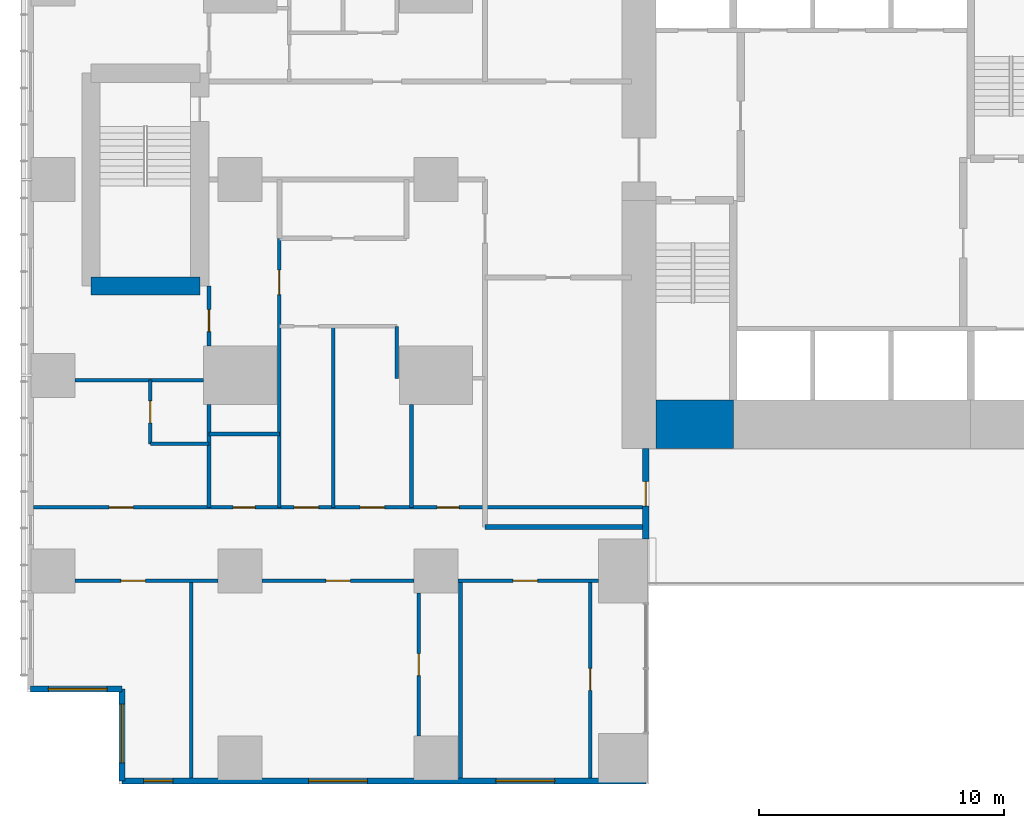
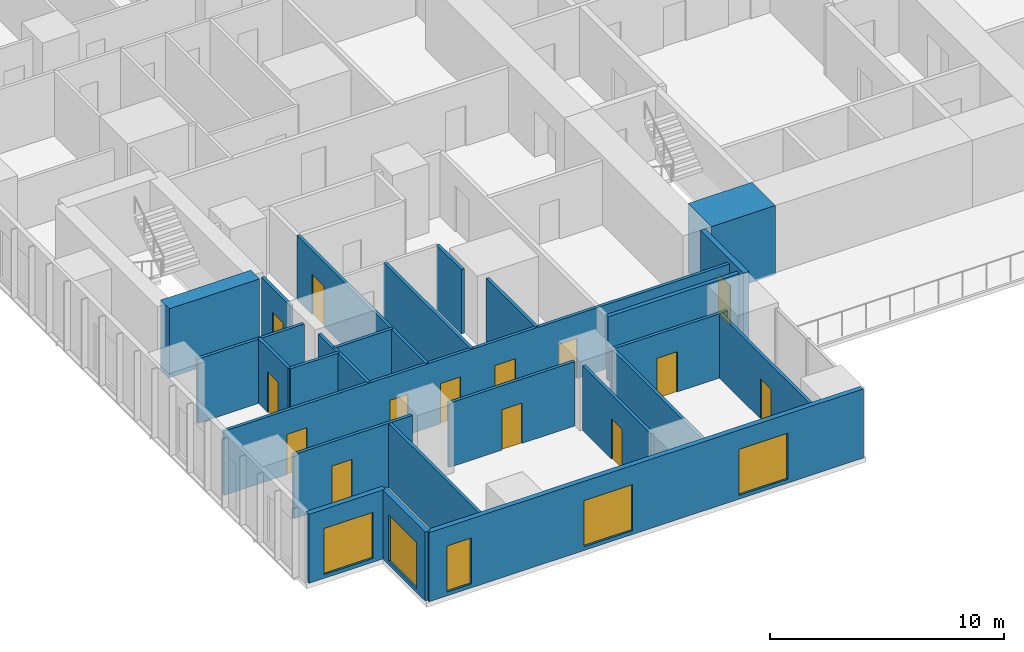
# One storey, part 12 of 20: 25 walls, 14 doors, 5 windows, 19 openings.
"""IFC4 building model written with IfcOpenShell, lengths in metres."""

from ifc_helpers import new_model, si_unit, direction, frame, frame_2d, origin, place, context, subcontext, project, spatial, rectangle, extrude, material, layer, layer_set, type_object, element, fill, save


model = new_model("IFC4")

# Units and contexts
model_context = context("Model", 3, precision=1e-05, world=origin(), true_north=direction((0.0, 1.0)))
body_context = subcontext(model_context, "Body", "Model", "MODEL_VIEW")
ifc_project = project(units=[si_unit("LENGTHUNIT", "METRE"), si_unit("AREAUNIT", "SQUARE_METRE"), si_unit("VOLUMEUNIT", "CUBIC_METRE"), si_unit("PLANEANGLEUNIT", "RADIAN"), si_unit("MASSUNIT", "GRAM", prefix="KILO")], contexts=[model_context])

# Site, building, storey
site_placement = place(None, origin())
site = spatial("IfcSite", under=ifc_project, at=site_placement, CompositionType="ELEMENT")
building_placement = place(site_placement, origin())
building = spatial("IfcBuilding", under=site, at=building_placement, Name="Cleftline Residences", CompositionType="ELEMENT")
storey_placement = place(building_placement, frame((0.0, 0.0, 182.199951171875)))
storey = spatial("IfcBuildingStorey", under=building, at=storey_placement, Name="L47", CompositionType="ELEMENT", Elevation=182.199951171875)

# Wall
ifc_material_1 = material(Name="Concrete B70", Category="concrete")
ifc_layer_1 = layer(ifc_material_1, 2.0)
ifc_layer_set_1 = layer_set([ifc_layer_1], Name="CORE WALL 2000")
wall_type_1 = type_object("IfcWallType", Name="CORE WALL 2000", PredefinedType="SHEAR", material=ifc_layer_set_1)
wall_1_placement = place(storey_placement, frame((25.0, 14.0, 0.0), z_axis=(0.0, 0.0, 1.0), x_axis=(1.0, 0.0, 0.0)))
element("IfcWall", 1, at=wall_1_placement, inside=storey, type_object=wall_type_1, Name="Core wall S1", PredefinedType="SHEAR", context=body_context, shape_type="SweptSolid", body=[
    extrude(rectangle(XDim=3.14990234375, YDim=2.0, at=frame_2d((1.574951171875, 0.0))), origin(), (0.0, 0.0, 1.0), 3.60009765625),
])

# Wall, opening, door
ifc_material_2 = material(Name="Rendered reinforced concrete blockwork", Category="masonry")
ifc_layer_2 = layer(ifc_material_2, 0.25)
ifc_layer_set_2 = layer_set([ifc_layer_2], Name="EXTERNAL WALL 250")
wall_type_2 = type_object("IfcWallType", Name="EXTERNAL WALL 250", PredefinedType="SOLIDWALL", material=ifc_layer_set_2)
wall_2_placement = place(storey_placement, frame((24.574951171875, 9.300048828125, 0.0), z_axis=(0.0, 0.0, 1.0), x_axis=(0.0, 1.0, 0.0)))
wall_2 = element("IfcWall", 2, at=wall_2_placement, inside=storey, type_object=wall_type_2, Name="External wall", PredefinedType="SOLIDWALL", context=body_context, shape_type="SweptSolid", body=[
    extrude(rectangle(XDim=3.699951171875, YDim=0.25, at=frame_2d((1.85009765625, 0.0))), origin(), (0.0, 0.0, 1.0), 3.60009765625),
])
opening_1_placement = place(wall_2_placement, frame((1.35009765625, 0.0, 0.0)))
opening_1 = element("IfcOpeningElement", 3, at=opening_1_placement, cuts=wall_2, Name="Opening DM1", PredefinedType="OPENING", context=body_context, shape_type="SweptSolid", body=[
    extrude(rectangle(XDim=1.0, YDim=2.10009765625, at=frame_2d((0.5, 1.050048828125))), frame((0.0, 0.135009765625, 0.0), z_axis=(0.0, -1.0, 0.0), x_axis=(1.0, 0.0, 0.0)), (0.0, 0.0, 1.0), 0.27001953125),
])
ifc_material_3 = material(Name="Galvanised steel, weathersealed", Category="steel")
door_type_1 = type_object("IfcDoorType", Name="MAINTENANCE DOOR 1000X2100", OperationType="SINGLE_SWING_LEFT", PredefinedType="DOOR", material=ifc_material_3)
door_1_placement = place(opening_1_placement, origin())
door_1 = element("IfcDoor", 4, at=door_1_placement, inside=storey, type_object=door_type_1, Name="Roof maintenance door", OperationType="SINGLE_SWING_LEFT", OverallHeight=2.10009765625, OverallWidth=1.0, PredefinedType="DOOR", context=body_context, shape_type="SweptSolid", body=[
    extrude(rectangle(XDim=1.0, YDim=2.10009765625, at=frame_2d((0.5, 1.050048828125))), frame((0.0, 0.02490234375, 0.0), z_axis=(0.0, -1.0, 0.0), x_axis=(1.0, 0.0, 0.0)), (0.0, 0.0, 1.0), 0.050048828125),
])
fill(opening_1, door_1)

# Wall, opening, window
wall_3_placement = place(storey_placement, frame((-0.574951171875, 3.175048828125, 0.0), z_axis=(0.0, 0.0, 1.0), x_axis=(1.0, 0.0, 0.0)))
wall_3 = element("IfcWall", 5, at=wall_3_placement, inside=storey, type_object=wall_type_2, Name="External wall", PredefinedType="SOLIDWALL", context=body_context, shape_type="SweptSolid", body=[
    extrude(rectangle(XDim=3.75, YDim=0.25, at=frame_2d((1.875, 0.0))), origin(), (0.0, 0.0, 1.0), 3.60009765625),
])
opening_2_placement = place(wall_3_placement, frame((0.737548828125, 0.0, 0.199951171875)))
opening_2 = element("IfcOpeningElement", 6, at=opening_2_placement, cuts=wall_3, Name="Opening W9", PredefinedType="OPENING", context=body_context, shape_type="SweptSolid", body=[
    extrude(rectangle(XDim=2.39990234375, YDim=2.39990234375, at=frame_2d((1.199951171875, 1.199951171875))), frame((0.0, 0.135009765625, 0.0), z_axis=(0.0, -1.0, 0.0), x_axis=(1.0, 0.0, 0.0)), (0.0, 0.0, 1.0), 0.27001953125),
])
ifc_material_4 = material(Name="Aluminium frame, clear double glazing", Category="aluminium")
window_type_1 = type_object("IfcWindowType", Name="WINDOW 2400X2400", PartitioningType="DOUBLE_PANEL_VERTICAL", PredefinedType="WINDOW", material=ifc_material_4)
window_1_placement = place(opening_2_placement, origin())
window_1 = element("IfcWindow", 7, at=window_1_placement, inside=storey, type_object=window_type_1, Name="Window", OverallHeight=2.39990234375, OverallWidth=2.39990234375, PartitioningType="SINGLE_PANEL", PredefinedType="WINDOW", context=body_context, shape_type="SweptSolid", body=[
    extrude(rectangle(XDim=2.39990234375, YDim=2.39990234375, at=frame_2d((1.199951171875, 1.199951171875))), frame((0.0, 0.030029296875, 0.0), z_axis=(0.0, -1.0, 0.0), x_axis=(1.0, 0.0, 0.0)), (0.0, 0.0, 1.0), 0.06005859375),
])
fill(opening_2, window_1)

wall_4_placement = place(storey_placement, frame((3.175048828125, 3.175048828125, 0.0), z_axis=(0.0, 0.0, 1.0), x_axis=(0.0, -1.0, 0.0)))
wall_4 = element("IfcWall", 8, at=wall_4_placement, inside=storey, type_object=wall_type_2, Name="External wall", PredefinedType="SOLIDWALL", context=body_context, shape_type="SweptSolid", body=[
    extrude(rectangle(XDim=3.75, YDim=0.25, at=frame_2d((1.875, 0.0))), origin(), (0.0, 0.0, 1.0), 3.60009765625),
])
opening_3_placement = place(wall_4_placement, frame((0.612548828125, 0.0, 0.199951171875)))
opening_3 = element("IfcOpeningElement", 9, at=opening_3_placement, cuts=wall_4, Name="Opening W9", PredefinedType="OPENING", context=body_context, shape_type="SweptSolid", body=[
    extrude(rectangle(XDim=2.39990234375, YDim=2.39990234375, at=frame_2d((1.199951171875, 1.199951171875))), frame((0.0, 0.135009765625, 0.0), z_axis=(0.0, -1.0, 0.0), x_axis=(1.0, 0.0, 0.0)), (0.0, 0.0, 1.0), 0.27001953125),
])
window_2_placement = place(opening_3_placement, origin())
window_2 = element("IfcWindow", 10, at=window_2_placement, inside=storey, type_object=window_type_1, Name="Window", OverallHeight=2.39990234375, OverallWidth=2.39990234375, PartitioningType="SINGLE_PANEL", PredefinedType="WINDOW", context=body_context, shape_type="SweptSolid", body=[
    extrude(rectangle(XDim=2.39990234375, YDim=2.39990234375, at=frame_2d((1.199951171875, 1.199951171875))), frame((0.0, 0.030029296875, 0.0), z_axis=(0.0, -1.0, 0.0), x_axis=(1.0, 0.0, 0.0)), (0.0, 0.0, 1.0), 0.06005859375),
])
fill(opening_3, window_2)

# Wall, openings, windows
wall_5_placement = place(storey_placement, frame((3.175048828125, -0.574951171875, 0.0), z_axis=(0.0, 0.0, 1.0), x_axis=(1.0, 0.0, 0.0)))
wall_5 = element("IfcWall", 11, at=wall_5_placement, inside=storey, type_object=wall_type_2, Name="External wall", PredefinedType="SOLIDWALL", context=body_context, shape_type="SweptSolid", body=[
    extrude(rectangle(XDim=21.39990234375, YDim=0.25, at=frame_2d((10.699951171875, 0.0))), origin(), (0.0, 0.0, 1.0), 3.60009765625),
])
opening_4_placement = place(wall_5_placement, frame((0.875, 0.0, 0.199951171875)))
opening_4 = element("IfcOpeningElement", 12, at=opening_4_placement, cuts=wall_5, Name="Opening W13", PredefinedType="OPENING", context=body_context, shape_type="SweptSolid", body=[
    extrude(rectangle(XDim=1.199951171875, YDim=2.39990234375, at=frame_2d((0.60009765625, 1.199951171875))), frame((0.0, 0.135009765625, 0.0), z_axis=(0.0, -1.0, 0.0), x_axis=(1.0, 0.0, 0.0)), (0.0, 0.0, 1.0), 0.27001953125),
])
opening_5_placement = place(wall_5_placement, frame((7.625, 0.0, 0.199951171875)))
opening_5 = element("IfcOpeningElement", 13, at=opening_5_placement, cuts=wall_5, Name="Opening W9", PredefinedType="OPENING", context=body_context, shape_type="SweptSolid", body=[
    extrude(rectangle(XDim=2.39990234375, YDim=2.39990234375, at=frame_2d((1.199951171875, 1.199951171875))), frame((0.0, 0.135009765625, 0.0), z_axis=(0.0, -1.0, 0.0), x_axis=(1.0, 0.0, 0.0)), (0.0, 0.0, 1.0), 0.27001953125),
])
opening_6_placement = place(wall_5_placement, frame((15.27490234375, 0.0, 0.199951171875)))
opening_6 = element("IfcOpeningElement", 14, at=opening_6_placement, cuts=wall_5, Name="Opening W9", PredefinedType="OPENING", context=body_context, shape_type="SweptSolid", body=[
    extrude(rectangle(XDim=2.39990234375, YDim=2.39990234375, at=frame_2d((1.199951171875, 1.199951171875))), frame((0.0, 0.135009765625, 0.0), z_axis=(0.0, -1.0, 0.0), x_axis=(1.0, 0.0, 0.0)), (0.0, 0.0, 1.0), 0.27001953125),
])
ifc_material_5 = material(Name="Aluminium frame, clear double glazing", Category="aluminium")
window_type_2 = type_object("IfcWindowType", Name="WINDOW 1200X2400", PartitioningType="DOUBLE_PANEL_VERTICAL", PredefinedType="WINDOW", material=ifc_material_5)
window_3_placement = place(opening_4_placement, origin())
window_3 = element("IfcWindow", 15, at=window_3_placement, inside=storey, type_object=window_type_2, Name="Window", OverallHeight=2.39990234375, OverallWidth=1.199951171875, PartitioningType="SINGLE_PANEL", PredefinedType="WINDOW", context=body_context, shape_type="SweptSolid", body=[
    extrude(rectangle(XDim=1.199951171875, YDim=2.39990234375, at=frame_2d((0.60009765625, 1.199951171875))), frame((0.0, 0.030029296875, 0.0), z_axis=(0.0, -1.0, 0.0), x_axis=(1.0, 0.0, 0.0)), (0.0, 0.0, 1.0), 0.06005859375),
])
fill(opening_4, window_3)
window_4_placement = place(opening_5_placement, origin())
window_4 = element("IfcWindow", 16, at=window_4_placement, inside=storey, type_object=window_type_1, Name="Window", OverallHeight=2.39990234375, OverallWidth=2.39990234375, PartitioningType="SINGLE_PANEL", PredefinedType="WINDOW", context=body_context, shape_type="SweptSolid", body=[
    extrude(rectangle(XDim=2.39990234375, YDim=2.39990234375, at=frame_2d((1.199951171875, 1.199951171875))), frame((0.0, 0.030029296875, 0.0), z_axis=(0.0, -1.0, 0.0), x_axis=(1.0, 0.0, 0.0)), (0.0, 0.0, 1.0), 0.06005859375),
])
fill(opening_5, window_4)
window_5_placement = place(opening_6_placement, origin())
window_5 = element("IfcWindow", 17, at=window_5_placement, inside=storey, type_object=window_type_1, Name="Window", OverallHeight=2.39990234375, OverallWidth=2.39990234375, PartitioningType="SINGLE_PANEL", PredefinedType="WINDOW", context=body_context, shape_type="SweptSolid", body=[
    extrude(rectangle(XDim=2.39990234375, YDim=2.39990234375, at=frame_2d((1.199951171875, 1.199951171875))), frame((0.0, 0.030029296875, 0.0), z_axis=(0.0, -1.0, 0.0), x_axis=(1.0, 0.0, 0.0)), (0.0, 0.0, 1.0), 0.06005859375),
])
fill(opening_6, window_5)

# Wall
ifc_material_6 = material(Name="Concrete blockwork, fire rated", Category="masonry")
ifc_layer_3 = layer(ifc_material_6, 0.199951171875)
ifc_layer_set_3 = layer_set([ifc_layer_3], Name="FIRE WALL 200")
wall_type_3 = type_object("IfcWallType", Name="FIRE WALL 200", PredefinedType="PARTITIONING", material=ifc_layer_set_3)
wall_6_placement = place(storey_placement, frame((18.0, 9.800048828125, 0.0), z_axis=(0.0, 0.0, 1.0), x_axis=(1.0, 0.0, 0.0)))
element("IfcWall", 18, at=wall_6_placement, inside=storey, type_object=wall_type_3, Name="Fire separating wall", PredefinedType="PARTITIONING", context=body_context, shape_type="SweptSolid", body=[
    extrude(rectangle(XDim=6.449951171875, YDim=0.199951171875, at=frame_2d((3.22509765625, 0.0))), origin(), (0.0, 0.0, 1.0), 3.35009765625),
])

# Wall, opening, door
ifc_material_7 = material(Name="Gypsum board on steel studs", Category="steel")
ifc_layer_4 = layer(ifc_material_7, 0.14990234375)
ifc_layer_set_4 = layer_set([ifc_layer_4], Name="PARTITION 150")
wall_type_4 = type_object("IfcWallType", Name="PARTITION 150", PredefinedType="PARTITIONING", material=ifc_layer_set_4)
wall_7_placement = place(storey_placement, frame((1.25, 7.60009765625, 0.0), z_axis=(0.0, 0.0, 1.0), x_axis=(1.0, 0.0, 0.0)))
wall_7 = element("IfcWall", 19, at=wall_7_placement, inside=storey, type_object=wall_type_4, Name="Partition", PredefinedType="PARTITIONING", context=body_context, shape_type="SweptSolid", body=[
    extrude(rectangle(XDim=5.85009765625, YDim=0.14990234375, at=frame_2d((2.925048828125, 0.0))), origin(), (0.0, 0.0, 1.0), 3.35009765625),
])
opening_7_placement = place(wall_7_placement, frame((1.875, 0.0, 0.0)))
opening_7 = element("IfcOpeningElement", 20, at=opening_7_placement, cuts=wall_7, Name="Opening D2", PredefinedType="OPENING", context=body_context, shape_type="SweptSolid", body=[
    extrude(rectangle(XDim=1.0, YDim=2.10009765625, at=frame_2d((0.5, 1.050048828125))), frame((0.0, 0.0849609375, 0.0), z_axis=(0.0, -1.0, 0.0), x_axis=(1.0, 0.0, 0.0)), (0.0, 0.0, 1.0), 0.169921875),
])
ifc_material_8 = material(Name="Timber veneer on solid core", Category="wood")
door_type_2 = type_object("IfcDoorType", Name="DOOR 1000X2100", OperationType="SINGLE_SWING_LEFT", PredefinedType="DOOR", material=ifc_material_8)
door_2_placement = place(opening_7_placement, origin())
door_2 = element("IfcDoor", 21, at=door_2_placement, inside=storey, type_object=door_type_2, Name="Door to winter garden", OperationType="SINGLE_SWING_RIGHT", OverallHeight=2.10009765625, OverallWidth=1.0, PredefinedType="DOOR", context=body_context, shape_type="SweptSolid", body=[
    extrude(rectangle(XDim=1.0, YDim=2.10009765625, at=frame_2d((0.5, 1.050048828125))), frame((0.0, 0.02490234375, 0.0), z_axis=(0.0, -1.0, 0.0), x_axis=(1.0, 0.0, 0.0)), (0.0, 0.0, 1.0), 0.050048828125),
])
fill(opening_7, door_2)

wall_8_placement = place(storey_placement, frame((8.89990234375, 7.60009765625, 0.0), z_axis=(0.0, 0.0, 1.0), x_axis=(1.0, 0.0, 0.0)))
wall_8 = element("IfcWall", 22, at=wall_8_placement, inside=storey, type_object=wall_type_4, Name="Partition", PredefinedType="PARTITIONING", context=body_context, shape_type="SweptSolid", body=[
    extrude(rectangle(XDim=6.2001953125, YDim=0.14990234375, at=frame_2d((3.10009765625, 0.0))), origin(), (0.0, 0.0, 1.0), 3.35009765625),
])
opening_8_placement = place(wall_8_placement, frame((2.60009765625, 0.0, 0.0)))
opening_8 = element("IfcOpeningElement", 23, at=opening_8_placement, cuts=wall_8, Name="Opening D2", PredefinedType="OPENING", context=body_context, shape_type="SweptSolid", body=[
    extrude(rectangle(XDim=1.0, YDim=2.10009765625, at=frame_2d((0.5, 1.050048828125))), frame((0.0, 0.0849609375, 0.0), z_axis=(0.0, -1.0, 0.0), x_axis=(1.0, 0.0, 0.0)), (0.0, 0.0, 1.0), 0.169921875),
])
door_3_placement = place(opening_8_placement, origin())
door_3 = element("IfcDoor", 24, at=door_3_placement, inside=storey, type_object=door_type_2, Name="Door to great room", OperationType="SINGLE_SWING_LEFT", OverallHeight=2.10009765625, OverallWidth=1.0, PredefinedType="DOOR", context=body_context, shape_type="SweptSolid", body=[
    extrude(rectangle(XDim=1.0, YDim=2.10009765625, at=frame_2d((0.5, 1.050048828125))), frame((0.0, 0.02490234375, 0.0), z_axis=(0.0, -1.0, 0.0), x_axis=(1.0, 0.0, 0.0)), (0.0, 0.0, 1.0), 0.050048828125),
])
fill(opening_8, door_3)

wall_9_placement = place(storey_placement, frame((16.89990234375, 7.60009765625, 0.0), z_axis=(0.0, 0.0, 1.0), x_axis=(1.0, 0.0, 0.0)))
wall_9 = element("IfcWall", 25, at=wall_9_placement, inside=storey, type_object=wall_type_4, Name="Partition", PredefinedType="PARTITIONING", context=body_context, shape_type="SweptSolid", body=[
    extrude(rectangle(XDim=5.75, YDim=0.14990234375, at=frame_2d((2.875, 0.0))), origin(), (0.0, 0.0, 1.0), 3.35009765625),
])
opening_9_placement = place(wall_9_placement, frame((2.25, 0.0, 0.0)))
opening_9 = element("IfcOpeningElement", 26, at=opening_9_placement, cuts=wall_9, Name="Opening D2", PredefinedType="OPENING", context=body_context, shape_type="SweptSolid", body=[
    extrude(rectangle(XDim=1.0, YDim=2.10009765625, at=frame_2d((0.5, 1.050048828125))), frame((0.0, 0.0849609375, 0.0), z_axis=(0.0, -1.0, 0.0), x_axis=(1.0, 0.0, 0.0)), (0.0, 0.0, 1.0), 0.169921875),
])
door_4_placement = place(opening_9_placement, origin())
door_4 = element("IfcDoor", 27, at=door_4_placement, inside=storey, type_object=door_type_2, Name="Door to show kitchen", OperationType="SINGLE_SWING_RIGHT", OverallHeight=2.10009765625, OverallWidth=1.0, PredefinedType="DOOR", context=body_context, shape_type="SweptSolid", body=[
    extrude(rectangle(XDim=1.0, YDim=2.10009765625, at=frame_2d((0.5, 1.050048828125))), frame((0.0, 0.02490234375, 0.0), z_axis=(0.0, -1.0, 0.0), x_axis=(1.0, 0.0, 0.0)), (0.0, 0.0, 1.0), 0.050048828125),
])
fill(opening_9, door_4)

# Wall, openings, doors
wall_10_placement = place(storey_placement, frame((-0.449951171875, 10.60009765625, 0.0), z_axis=(0.0, 0.0, 1.0), x_axis=(1.0, 0.0, 0.0)))
wall_10 = element("IfcWall", 28, at=wall_10_placement, inside=storey, type_object=wall_type_4, Name="Partition", PredefinedType="PARTITIONING", context=body_context, shape_type="SweptSolid", body=[
    extrude(rectangle(XDim=24.89990234375, YDim=0.14990234375, at=frame_2d((12.449951171875, 0.0))), origin(), (0.0, 0.0, 1.0), 3.35009765625),
])
opening_10_placement = place(wall_10_placement, frame((10.64990234375, 0.0, 0.0)))
opening_10 = element("IfcOpeningElement", 29, at=opening_10_placement, cuts=wall_10, Name="Opening D2", PredefinedType="OPENING", context=body_context, shape_type="SweptSolid", body=[
    extrude(rectangle(XDim=1.0, YDim=2.10009765625, at=frame_2d((0.5, 1.050048828125))), frame((0.0, 0.0849609375, 0.0), z_axis=(0.0, -1.0, 0.0), x_axis=(1.0, 0.0, 0.0)), (0.0, 0.0, 1.0), 0.169921875),
])
opening_11_placement = place(wall_10_placement, frame((3.08740234375, 0.0, 0.0)))
opening_11 = element("IfcOpeningElement", 30, at=opening_11_placement, cuts=wall_10, Name="Opening D2", PredefinedType="OPENING", context=body_context, shape_type="SweptSolid", body=[
    extrude(rectangle(XDim=1.0, YDim=2.10009765625, at=frame_2d((0.5, 1.050048828125))), frame((0.0, 0.0849609375, 0.0), z_axis=(0.0, -1.0, 0.0), x_axis=(1.0, 0.0, 0.0)), (0.0, 0.0, 1.0), 0.169921875),
])
opening_12_placement = place(wall_10_placement, frame((8.16259765625, 0.0, 0.0)))
opening_12 = element("IfcOpeningElement", 31, at=opening_12_placement, cuts=wall_10, Name="Opening D1", PredefinedType="OPENING", context=body_context, shape_type="SweptSolid", body=[
    extrude(rectangle(XDim=0.89990234375, YDim=2.10009765625, at=frame_2d((0.449951171875, 1.050048828125))), frame((0.0, 0.0849609375, 0.0), z_axis=(0.0, -1.0, 0.0), x_axis=(1.0, 0.0, 0.0)), (0.0, 0.0, 1.0), 0.169921875),
])
opening_13_placement = place(wall_10_placement, frame((13.35009765625, 0.0, 0.0)))
opening_13 = element("IfcOpeningElement", 32, at=opening_13_placement, cuts=wall_10, Name="Opening D2", PredefinedType="OPENING", context=body_context, shape_type="SweptSolid", body=[
    extrude(rectangle(XDim=1.0, YDim=2.10009765625, at=frame_2d((0.5, 1.050048828125))), frame((0.0, 0.0849609375, 0.0), z_axis=(0.0, -1.0, 0.0), x_axis=(1.0, 0.0, 0.0)), (0.0, 0.0, 1.0), 0.169921875),
])
opening_14_placement = place(wall_10_placement, frame((16.5, 0.0, 0.0)))
opening_14 = element("IfcOpeningElement", 33, at=opening_14_placement, cuts=wall_10, Name="Opening D1", PredefinedType="OPENING", context=body_context, shape_type="SweptSolid", body=[
    extrude(rectangle(XDim=0.89990234375, YDim=2.10009765625, at=frame_2d((0.449951171875, 1.050048828125))), frame((0.0, 0.0849609375, 0.0), z_axis=(0.0, -1.0, 0.0), x_axis=(1.0, 0.0, 0.0)), (0.0, 0.0, 1.0), 0.169921875),
])
door_5_placement = place(opening_10_placement, origin())
door_5 = element("IfcDoor", 34, at=door_5_placement, inside=storey, type_object=door_type_2, Name="Door to residence hall", OperationType="SINGLE_SWING_RIGHT", OverallHeight=2.10009765625, OverallWidth=1.0, PredefinedType="DOOR", context=body_context, shape_type="SweptSolid", body=[
    extrude(rectangle(XDim=1.0, YDim=2.10009765625, at=frame_2d((0.5, 1.050048828125))), frame((0.0, 0.02490234375, 0.0), z_axis=(0.0, -1.0, 0.0), x_axis=(1.0, 0.0, 0.0)), (0.0, 0.0, 1.0), 0.050048828125),
])
fill(opening_10, door_5)
door_6_placement = place(opening_11_placement, origin())
door_6 = element("IfcDoor", 35, at=door_6_placement, inside=storey, type_object=door_type_2, Name="Door to guest bedroom", OperationType="SINGLE_SWING_RIGHT", OverallHeight=2.10009765625, OverallWidth=1.0, PredefinedType="DOOR", context=body_context, shape_type="SweptSolid", body=[
    extrude(rectangle(XDim=1.0, YDim=2.10009765625, at=frame_2d((0.5, 1.050048828125))), frame((0.0, 0.02490234375, 0.0), z_axis=(0.0, -1.0, 0.0), x_axis=(1.0, 0.0, 0.0)), (0.0, 0.0, 1.0), 0.050048828125),
])
fill(opening_11, door_6)
door_7_placement = place(opening_13_placement, origin())
door_7 = element("IfcDoor", 36, at=door_7_placement, inside=storey, type_object=door_type_2, Name="Door to wet kitchen", OperationType="SINGLE_SWING_LEFT", OverallHeight=2.10009765625, OverallWidth=1.0, PredefinedType="DOOR", context=body_context, shape_type="SweptSolid", body=[
    extrude(rectangle(XDim=1.0, YDim=2.10009765625, at=frame_2d((0.5, 1.050048828125))), frame((0.0, 0.02490234375, 0.0), z_axis=(0.0, -1.0, 0.0), x_axis=(1.0, 0.0, 0.0)), (0.0, 0.0, 1.0), 0.050048828125),
])
fill(opening_13, door_7)
ifc_material_9 = material(Name="Timber veneer on solid core", Category="wood")
door_type_3 = type_object("IfcDoorType", Name="DOOR 900X2100", OperationType="SINGLE_SWING_LEFT", PredefinedType="DOOR", material=ifc_material_9)
door_8_placement = place(opening_12_placement, origin())
door_8 = element("IfcDoor", 37, at=door_8_placement, inside=storey, type_object=door_type_3, Name="Door to coat store", OperationType="SINGLE_SWING_RIGHT", OverallHeight=2.10009765625, OverallWidth=0.89990234375, PredefinedType="DOOR", context=body_context, shape_type="SweptSolid", body=[
    extrude(rectangle(XDim=0.89990234375, YDim=2.10009765625, at=frame_2d((0.449951171875, 1.050048828125))), frame((0.0, 0.02490234375, 0.0), z_axis=(0.0, -1.0, 0.0), x_axis=(1.0, 0.0, 0.0)), (0.0, 0.0, 1.0), 0.050048828125),
])
fill(opening_12, door_8)
door_9_placement = place(opening_14_placement, origin())
door_9 = element("IfcDoor", 38, at=door_9_placement, inside=storey, type_object=door_type_3, Name="Door to pantry", OperationType="SINGLE_SWING_LEFT", OverallHeight=2.10009765625, OverallWidth=0.89990234375, PredefinedType="DOOR", context=body_context, shape_type="SweptSolid", body=[
    extrude(rectangle(XDim=0.89990234375, YDim=2.10009765625, at=frame_2d((0.449951171875, 1.050048828125))), frame((0.0, 0.02490234375, 0.0), z_axis=(0.0, -1.0, 0.0), x_axis=(1.0, 0.0, 0.0)), (0.0, 0.0, 1.0), 0.050048828125),
])
fill(opening_14, door_9)

# Walls
wall_11_placement = place(storey_placement, frame((4.324951171875, 13.199951171875, 0.0), z_axis=(0.0, 0.0, 1.0), x_axis=(1.0, 0.0, 0.0)))
element("IfcWall", 39, at=wall_11_placement, inside=storey, type_object=wall_type_4, Name="Partition", PredefinedType="PARTITIONING", context=body_context, shape_type="SweptSolid", body=[
    extrude(rectangle(XDim=2.400146484375, YDim=0.14990234375, at=frame_2d((1.2001953125, 0.0))), origin(), (0.0, 0.0, 1.0), 3.35009765625),
])
wall_12_placement = place(storey_placement, frame((6.72509765625, 13.60009765625, 0.0), z_axis=(0.0, 0.0, 1.0), x_axis=(1.0, 0.0, 0.0)))
element("IfcWall", 40, at=wall_12_placement, inside=storey, type_object=wall_type_4, Name="Partition", PredefinedType="PARTITIONING", context=body_context, shape_type="SweptSolid", body=[
    extrude(rectangle(XDim=2.875, YDim=0.14990234375, at=frame_2d((1.4375, 0.0))), origin(), (0.0, 0.0, 1.0), 3.35009765625),
])
wall_13_placement = place(storey_placement, frame((1.25, 15.800048828125, 0.0), z_axis=(0.0, 0.0, 1.0), x_axis=(1.0, 0.0, 0.0)))
element("IfcWall", 41, at=wall_13_placement, inside=storey, type_object=wall_type_4, Name="Partition", PredefinedType="PARTITIONING", context=body_context, shape_type="SweptSolid", body=[
    extrude(rectangle(XDim=5.25, YDim=0.14990234375, at=frame_2d((2.625, 0.0))), origin(), (0.0, 0.0, 1.0), 3.35009765625),
])

# Wall, opening, door
wall_14_placement = place(storey_placement, frame((4.324951171875, 13.199951171875, 0.0), z_axis=(0.0, 0.0, 1.0), x_axis=(0.0, 1.0, 0.0)))
wall_14 = element("IfcWall", 42, at=wall_14_placement, inside=storey, type_object=wall_type_4, Name="Partition", PredefinedType="PARTITIONING", context=body_context, shape_type="SweptSolid", body=[
    extrude(rectangle(XDim=2.60009765625, YDim=0.14990234375, at=frame_2d((1.300048828125, 0.0))), origin(), (0.0, 0.0, 1.0), 3.35009765625),
])
opening_15_placement = place(wall_14_placement, frame((0.85009765625, 0.0, 0.0)))
opening_15 = element("IfcOpeningElement", 43, at=opening_15_placement, cuts=wall_14, Name="Opening D1", PredefinedType="OPENING", context=body_context, shape_type="SweptSolid", body=[
    extrude(rectangle(XDim=0.89990234375, YDim=2.10009765625, at=frame_2d((0.449951171875, 1.050048828125))), frame((0.0, 0.0849609375, 0.0), z_axis=(0.0, -1.0, 0.0), x_axis=(1.0, 0.0, 0.0)), (0.0, 0.0, 1.0), 0.169921875),
])
door_10_placement = place(opening_15_placement, origin())
door_10 = element("IfcDoor", 44, at=door_10_placement, inside=storey, type_object=door_type_3, Name="Door to guest bathroom", OperationType="SINGLE_SWING_LEFT", OverallHeight=2.10009765625, OverallWidth=0.89990234375, PredefinedType="DOOR", context=body_context, shape_type="SweptSolid", body=[
    extrude(rectangle(XDim=0.89990234375, YDim=2.10009765625, at=frame_2d((0.449951171875, 1.050048828125))), frame((0.0, 0.02490234375, 0.0), z_axis=(0.0, -1.0, 0.0), x_axis=(1.0, 0.0, 0.0)), (0.0, 0.0, 1.0), 0.050048828125),
])
fill(opening_15, door_10)

# Walls
wall_15_placement = place(storey_placement, frame((6.0, -0.449951171875, 0.0), z_axis=(0.0, 0.0, 1.0), x_axis=(0.0, 1.0, 0.0)))
element("IfcWall", 45, at=wall_15_placement, inside=storey, type_object=wall_type_4, Name="Partition", PredefinedType="PARTITIONING", context=body_context, shape_type="SweptSolid", body=[
    extrude(rectangle(XDim=8.050048828125, YDim=0.14990234375, at=frame_2d((4.02490234375, 0.0))), origin(), (0.0, 0.0, 1.0), 3.35009765625),
])
wall_16_placement = place(storey_placement, frame((6.72509765625, 10.60009765625, 0.0), z_axis=(0.0, 0.0, 1.0), x_axis=(0.0, 1.0, 0.0)))
element("IfcWall", 46, at=wall_16_placement, inside=storey, type_object=wall_type_4, Name="Partition", PredefinedType="PARTITIONING", context=body_context, shape_type="SweptSolid", body=[
    extrude(rectangle(XDim=4.199951171875, YDim=0.14990234375, at=frame_2d((2.10009765625, 0.0))), origin(), (0.0, 0.0, 1.0), 3.35009765625),
])

# Wall, opening, door
wall_17_placement = place(storey_placement, frame((6.72509765625, 17.199951171875, 0.0), z_axis=(0.0, 0.0, 1.0), x_axis=(0.0, 1.0, 0.0)))
wall_17 = element("IfcWall", 47, at=wall_17_placement, inside=storey, type_object=wall_type_4, Name="Partition", PredefinedType="PARTITIONING", context=body_context, shape_type="SweptSolid", body=[
    extrude(rectangle(XDim=2.449951171875, YDim=0.14990234375, at=frame_2d((1.22509765625, 0.0))), origin(), (0.0, 0.0, 1.0), 3.35009765625),
])
opening_16_placement = place(wall_17_placement, frame((0.58740234375, 0.0, 0.0)))
opening_16 = element("IfcOpeningElement", 48, at=opening_16_placement, cuts=wall_17, Name="Opening D1", PredefinedType="OPENING", context=body_context, shape_type="SweptSolid", body=[
    extrude(rectangle(XDim=0.89990234375, YDim=2.10009765625, at=frame_2d((0.449951171875, 1.050048828125))), frame((0.0, 0.0849609375, 0.0), z_axis=(0.0, -1.0, 0.0), x_axis=(1.0, 0.0, 0.0)), (0.0, 0.0, 1.0), 0.169921875),
])
door_11_placement = place(opening_16_placement, origin())
door_11 = element("IfcDoor", 49, at=door_11_placement, inside=storey, type_object=door_type_3, Name="Door to drying loggia", OperationType="SINGLE_SWING_RIGHT", OverallHeight=2.10009765625, OverallWidth=0.89990234375, PredefinedType="DOOR", context=body_context, shape_type="SweptSolid", body=[
    extrude(rectangle(XDim=0.89990234375, YDim=2.10009765625, at=frame_2d((0.449951171875, 1.050048828125))), frame((0.0, 0.02490234375, 0.0), z_axis=(0.0, -1.0, 0.0), x_axis=(1.0, 0.0, 0.0)), (0.0, 0.0, 1.0), 0.050048828125),
])
fill(opening_16, door_11)

wall_18_placement = place(storey_placement, frame((9.60009765625, 10.60009765625, 0.0), z_axis=(0.0, 0.0, 1.0), x_axis=(0.0, 1.0, 0.0)))
wall_18 = element("IfcWall", 50, at=wall_18_placement, inside=storey, type_object=wall_type_4, Name="Partition", PredefinedType="PARTITIONING", context=body_context, shape_type="SweptSolid", body=[
    extrude(rectangle(XDim=11.0, YDim=0.14990234375, at=frame_2d((5.5, 0.0))), origin(), (0.0, 0.0, 1.0), 3.35009765625),
])
opening_17_placement = place(wall_18_placement, frame((8.699951171875, 0.0, 0.0)))
opening_17 = element("IfcOpeningElement", 51, at=opening_17_placement, cuts=wall_18, Name="Opening D2F30", PredefinedType="OPENING", context=body_context, shape_type="SweptSolid", body=[
    extrude(rectangle(XDim=1.0, YDim=2.10009765625, at=frame_2d((0.5, 1.050048828125))), frame((0.0, 0.0849609375, 0.0), z_axis=(0.0, -1.0, 0.0), x_axis=(1.0, 0.0, 0.0)), (0.0, 0.0, 1.0), 0.169921875),
])
ifc_material_10 = material(Name="Timber veneer on solid core", Category="wood")
door_type_4 = type_object("IfcDoorType", Name="DOOR 1000X2100 EI 30", OperationType="SINGLE_SWING_LEFT", PredefinedType="DOOR", material=ifc_material_10)
door_12_placement = place(opening_17_placement, origin())
door_12 = element("IfcDoor", 52, at=door_12_placement, inside=storey, type_object=door_type_4, Name="Door to residence lobby", OperationType="SINGLE_SWING_LEFT", OverallHeight=2.10009765625, OverallWidth=1.0, PredefinedType="DOOR", context=body_context, shape_type="SweptSolid", body=[
    extrude(rectangle(XDim=1.0, YDim=2.10009765625, at=frame_2d((0.5, 1.050048828125))), frame((0.0, 0.02490234375, 0.0), z_axis=(0.0, -1.0, 0.0), x_axis=(1.0, 0.0, 0.0)), (0.0, 0.0, 1.0), 0.050048828125),
])
fill(opening_17, door_12)

# Walls
wall_19_placement = place(storey_placement, frame((11.800048828125, 10.60009765625, 0.0), z_axis=(0.0, 0.0, 1.0), x_axis=(0.0, 1.0, 0.0)))
element("IfcWall", 53, at=wall_19_placement, inside=storey, type_object=wall_type_4, Name="Partition", PredefinedType="PARTITIONING", context=body_context, shape_type="SweptSolid", body=[
    extrude(rectangle(XDim=7.39990234375, YDim=0.14990234375, at=frame_2d((3.699951171875, 0.0))), origin(), (0.0, 0.0, 1.0), 3.35009765625),
])
wall_20_placement = place(storey_placement, frame((14.39990234375, 15.875, 0.0), z_axis=(0.0, 0.0, 1.0), x_axis=(0.0, 1.0, 0.0)))
element("IfcWall", 54, at=wall_20_placement, inside=storey, type_object=wall_type_4, Name="Partition", PredefinedType="PARTITIONING", context=body_context, shape_type="SweptSolid", body=[
    extrude(rectangle(XDim=2.125, YDim=0.14990234375, at=frame_2d((1.0625, 0.0))), origin(), (0.0, 0.0, 1.0), 3.35009765625),
])
wall_21_placement = place(storey_placement, frame((15.0, 10.60009765625, 0.0), z_axis=(0.0, 0.0, 1.0), x_axis=(0.0, 1.0, 0.0)))
element("IfcWall", 55, at=wall_21_placement, inside=storey, type_object=wall_type_4, Name="Partition", PredefinedType="PARTITIONING", context=body_context, shape_type="SweptSolid", body=[
    extrude(rectangle(XDim=4.199951171875, YDim=0.14990234375, at=frame_2d((2.10009765625, 0.0))), origin(), (0.0, 0.0, 1.0), 3.35009765625),
])

# Wall, opening, door
wall_22_placement = place(storey_placement, frame((15.300048828125, 1.25, 0.0), z_axis=(0.0, 0.0, 1.0), x_axis=(0.0, 1.0, 0.0)))
wall_22 = element("IfcWall", 56, at=wall_22_placement, inside=storey, type_object=wall_type_4, Name="Partition", PredefinedType="PARTITIONING", context=body_context, shape_type="SweptSolid", body=[
    extrude(rectangle(XDim=5.85009765625, YDim=0.14990234375, at=frame_2d((2.925048828125, 0.0))), origin(), (0.0, 0.0, 1.0), 3.35009765625),
])
opening_18_placement = place(wall_22_placement, frame((2.47509765625, 0.0, 0.0)))
opening_18 = element("IfcOpeningElement", 57, at=opening_18_placement, cuts=wall_22, Name="Opening D1", PredefinedType="OPENING", context=body_context, shape_type="SweptSolid", body=[
    extrude(rectangle(XDim=0.89990234375, YDim=2.10009765625, at=frame_2d((0.449951171875, 1.050048828125))), frame((0.0, 0.0849609375, 0.0), z_axis=(0.0, -1.0, 0.0), x_axis=(1.0, 0.0, 0.0)), (0.0, 0.0, 1.0), 0.169921875),
])
door_13_placement = place(opening_18_placement, origin())
door_13 = element("IfcDoor", 58, at=door_13_placement, inside=storey, type_object=door_type_3, Name="Door to store room", OperationType="SINGLE_SWING_LEFT", OverallHeight=2.10009765625, OverallWidth=0.89990234375, PredefinedType="DOOR", context=body_context, shape_type="SweptSolid", body=[
    extrude(rectangle(XDim=0.89990234375, YDim=2.10009765625, at=frame_2d((0.449951171875, 1.050048828125))), frame((0.0, 0.02490234375, 0.0), z_axis=(0.0, -1.0, 0.0), x_axis=(1.0, 0.0, 0.0)), (0.0, 0.0, 1.0), 0.050048828125),
])
fill(opening_18, door_13)

# Wall
wall_23_placement = place(storey_placement, frame((17.0, -0.449951171875, 0.0), z_axis=(0.0, 0.0, 1.0), x_axis=(0.0, 1.0, 0.0)))
element("IfcWall", 59, at=wall_23_placement, inside=storey, type_object=wall_type_4, Name="Partition", PredefinedType="PARTITIONING", context=body_context, shape_type="SweptSolid", body=[
    extrude(rectangle(XDim=8.050048828125, YDim=0.14990234375, at=frame_2d((4.02490234375, 0.0))), origin(), (0.0, 0.0, 1.0), 3.35009765625),
])

# Wall, opening, door
wall_24_placement = place(storey_placement, frame((22.300048828125, -0.449951171875, 0.0), z_axis=(0.0, 0.0, 1.0), x_axis=(0.0, 1.0, 0.0)))
wall_24 = element("IfcWall", 60, at=wall_24_placement, inside=storey, type_object=wall_type_4, Name="Partition", PredefinedType="PARTITIONING", context=body_context, shape_type="SweptSolid", body=[
    extrude(rectangle(XDim=8.050048828125, YDim=0.14990234375, at=frame_2d((4.02490234375, 0.0))), origin(), (0.0, 0.0, 1.0), 3.35009765625),
])
opening_19_placement = place(wall_24_placement, frame((3.574951171875, 0.0, 0.0)))
opening_19 = element("IfcOpeningElement", 61, at=opening_19_placement, cuts=wall_24, Name="Opening D1", PredefinedType="OPENING", context=body_context, shape_type="SweptSolid", body=[
    extrude(rectangle(XDim=0.89990234375, YDim=2.10009765625, at=frame_2d((0.449951171875, 1.050048828125))), frame((0.0, 0.0849609375, 0.0), z_axis=(0.0, -1.0, 0.0), x_axis=(1.0, 0.0, 0.0)), (0.0, 0.0, 1.0), 0.169921875),
])
door_14_placement = place(opening_19_placement, origin())
door_14 = element("IfcDoor", 62, at=door_14_placement, inside=storey, type_object=door_type_3, Name="Door to larder", OperationType="SINGLE_SWING_LEFT", OverallHeight=2.10009765625, OverallWidth=0.89990234375, PredefinedType="DOOR", context=body_context, shape_type="SweptSolid", body=[
    extrude(rectangle(XDim=0.89990234375, YDim=2.10009765625, at=frame_2d((0.449951171875, 1.050048828125))), frame((0.0, 0.02490234375, 0.0), z_axis=(0.0, -1.0, 0.0), x_axis=(1.0, 0.0, 0.0)), (0.0, 0.0, 1.0), 0.050048828125),
])
fill(opening_19, door_14)

# Wall
ifc_material_11 = material(Name="Concrete B70", Category="concrete")
ifc_layer_5 = layer(ifc_material_11, 0.75)
ifc_layer_set_5 = layer_set([ifc_layer_5], Name="SHEAR WALL 750")
wall_type_5 = type_object("IfcWallType", Name="SHEAR WALL 750", PredefinedType="SHEAR", material=ifc_layer_set_5)
wall_25_placement = place(storey_placement, frame((1.89990234375, 19.64990234375, 0.0), z_axis=(0.0, 0.0, 1.0), x_axis=(1.0, 0.0, 0.0)))
element("IfcWall", 63, at=wall_25_placement, inside=storey, type_object=wall_type_5, Name="Wing shear wall", PredefinedType="SHEAR", context=body_context, shape_type="SweptSolid", body=[
    extrude(rectangle(XDim=4.4501953125, YDim=0.75, at=frame_2d((2.22509765625, 0.0))), origin(), (0.0, 0.0, 1.0), 3.60009765625),
])

save(model, "model.ifc")
